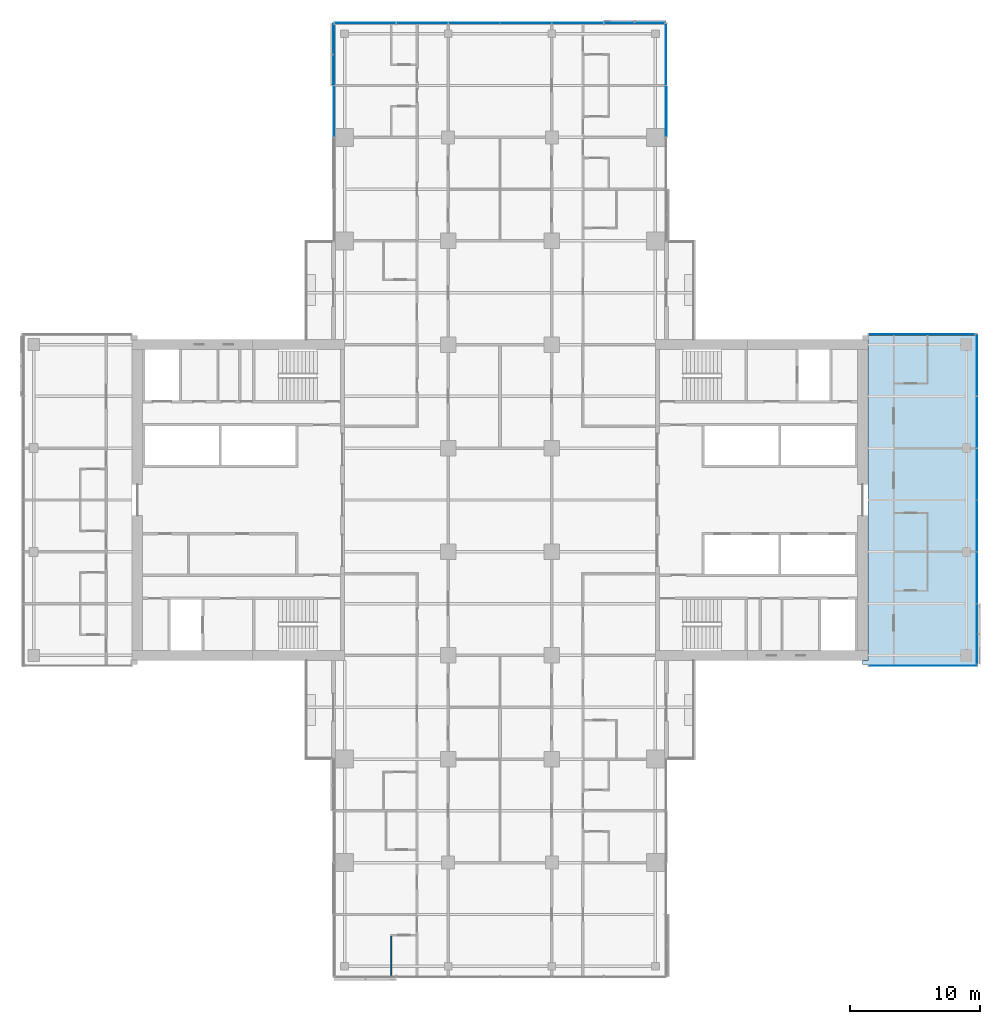
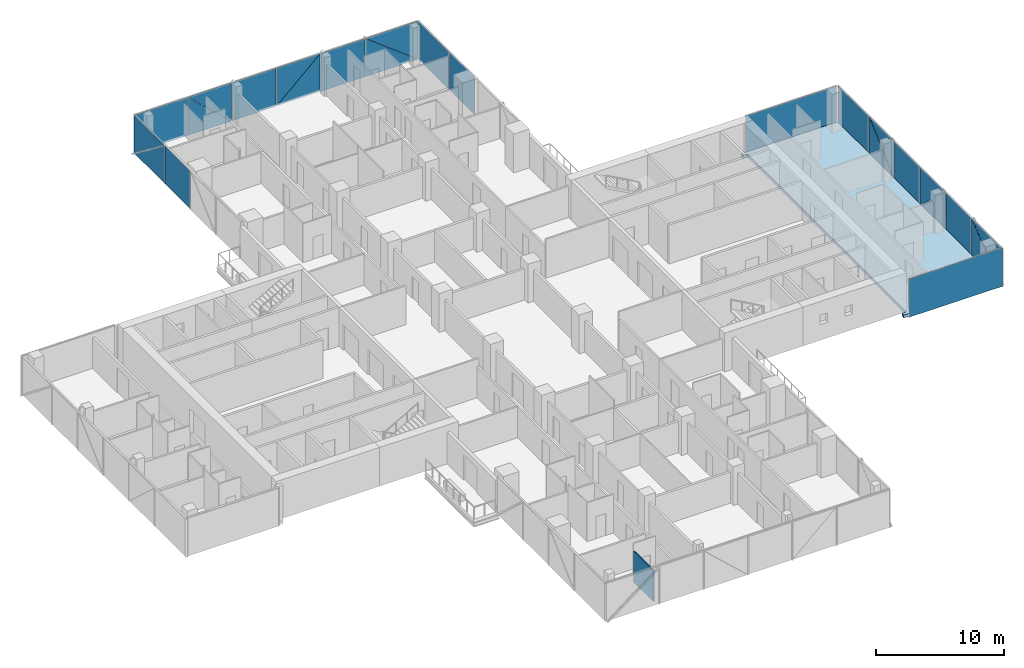
# One storey, part 14 of 27: 26 plates, 1 slab, 1 wall, 6 elements without a shape of their own.
"""IFC4 building model written with IfcOpenShell, lengths in metres."""

from ifc_helpers import new_model, si_unit, direction, frame, frame_2d, origin, place, context, subcontext, project, spatial, polyline, rectangle, outline, extrude, material, layer, layer_set, type_object, element, aggregate, save


model = new_model("IFC4")

# Units and contexts
model_context = context("Model", 3, precision=1e-05, world=origin(), true_north=direction((0.0, 1.0)))
body_context = subcontext(model_context, "Body", "Model", "MODEL_VIEW")
ifc_project = project(units=[si_unit("LENGTHUNIT", "METRE"), si_unit("AREAUNIT", "SQUARE_METRE"), si_unit("VOLUMEUNIT", "CUBIC_METRE"), si_unit("PLANEANGLEUNIT", "RADIAN"), si_unit("MASSUNIT", "GRAM", prefix="KILO")], contexts=[model_context])

# Site, building, storey
site_placement = place(None, origin())
site = spatial("IfcSite", under=ifc_project, at=site_placement, CompositionType="ELEMENT")
building_placement = place(site_placement, origin())
building = spatial("IfcBuilding", under=site, at=building_placement, Name="Crosswind Convention Tower", CompositionType="ELEMENT")
storey_placement = place(building_placement, frame((0.0, 0.0, 75.699951171875)))
storey = spatial("IfcBuildingStorey", under=building, at=storey_placement, Name="L13", CompositionType="ELEMENT", Elevation=75.699951171875)

# Slab
ifc_material_1 = material(Name="Concrete C40/50", Category="concrete")
ifc_layer_1 = layer(ifc_material_1, 0.280029296875)
ifc_layer_set_1 = layer_set([ifc_layer_1], Name="Concrete C40/50")
slab_type = type_object("IfcSlabType", Name="Composite floor slab 280", PredefinedType="FLOOR", material=ifc_layer_set_1)
slab_placement = place(storey_placement, frame((0.0, 0.0, -0.280029296875)))
element("IfcSlab", 1, at=slab_placement, inside=storey, type_object=slab_type, Name="Floor slab L13 part 3", PredefinedType="FLOOR", context=body_context, shape_type="SweptSolid", body=[
    extrude(outline(polyline([(153.0, 112.699951171875), (161.0, 112.699951171875), (161.699951171875, 112.699951171875), (161.699951171875, 112.0), (161.699951171875, 88.0), (161.699951171875, 87.300048828125), (161.0, 87.300048828125), (153.0, 87.300048828125), (153.0, 87.60009765625), (153.39990234375, 87.60009765625), (153.39990234375, 112.39990234375), (153.0, 112.39990234375), (153.0, 112.699951171875)])), origin(), (0.0, 0.0, 1.0), 0.280029296875),
])

# Curtain wall, plate
ifc_material_2 = material(Name="Aluminium unitised curtain wall", Category="aluminium")
curtain_wall_type_1 = type_object("IfcCurtainWallType", Name="CORE END SLOT WALL 160", PredefinedType="USERDEFINED", material=ifc_material_2)
curtain_wall_1_placement = place(storey_placement, origin())
curtain_wall_1 = element("IfcCurtainWall", 2, at=curtain_wall_1_placement, inside=storey, type_object=curtain_wall_type_1, Name="CW6 L13 E-N.1-1 slot", ObjectType="UNITISED", PredefinedType="USERDEFINED")
ifc_material_3 = material(Name="Laminated insulating glass unit", Category="glass")
ifc_layer_2 = layer(ifc_material_3, 0.02587890625)
ifc_layer_set_2 = layer_set([ifc_layer_2], Name="TRIANGULAR GLASS PANEL 26")
plate_type_1 = type_object("IfcPlateType", Name="TRIANGULAR GLASS PANEL 26", PredefinedType="CURTAIN_PANEL", material=ifc_layer_set_2)
plate_1_placement = place(storey_placement, frame((161.64990234375, 112.806640625, -0.280029296875), z_axis=(0.0, 0.999999919475, 0.000401310917), x_axis=(-1.0, 0.0, 0.0)))
plate_1 = element("IfcPlate", 3, at=plate_1_placement, type_object=plate_type_1, Name="CW6 panel 1.1", PredefinedType="CURTAIN_PANEL", context=body_context, shape_type="SweptSolid", body=[
    extrude(outline(polyline([(0.0, 0.0), (8.199951171875, 0.0), (8.199951171875, 3.650146778303906), (0.0, 3.650146778303906), (0.0, 0.0)])), origin(), (0.0, 0.0, -1.0), 0.02587890625),
])
aggregate(curtain_wall_1, [plate_1])

curtain_wall_2_placement = place(storey_placement, origin())
curtain_wall_2 = element("IfcCurtainWall", 4, at=curtain_wall_2_placement, inside=storey, type_object=curtain_wall_type_1, Name="CW6 L13 E-S.2-1 slot", ObjectType="UNITISED", PredefinedType="USERDEFINED")
plate_2_placement = place(storey_placement, frame((153.449951171875, 87.193359375, -0.280029296875), z_axis=(0.0, -0.999999919475, 0.000401310917), x_axis=(1.0, 0.0, 0.0)))
plate_2 = element("IfcPlate", 5, at=plate_2_placement, type_object=plate_type_1, Name="CW6 panel 1.1", PredefinedType="CURTAIN_PANEL", context=body_context, shape_type="SweptSolid", body=[
    extrude(outline(polyline([(0.0, 0.0), (8.400146484375, 0.0), (8.400146484375, 3.6501467783039057), (0.0, 3.6501467783039057), (0.0, 0.0)])), origin(), (0.0, 0.0, -1.0), 0.02587890625),
])
aggregate(curtain_wall_2, [plate_2])

# Curtain wall, plates
curtain_wall_type_2 = type_object("IfcCurtainWallType", Name="HOTEL UNITISED WALL 200", PredefinedType="USERDEFINED", material=ifc_material_2)
curtain_wall_3_placement = place(storey_placement, origin())
curtain_wall_3 = element("IfcCurtainWall", 6, at=curtain_wall_3_placement, inside=storey, type_object=curtain_wall_type_2, Name="CW2 L13 E-TIP 1", ObjectType="UNITISED", PredefinedType="USERDEFINED")
ifc_layer_3 = layer(ifc_material_3, 0.028076171875)
ifc_layer_set_3 = layer_set([ifc_layer_3], Name="TRIANGULAR GLASS PANEL 28")
plate_type_2 = type_object("IfcPlateType", Name="TRIANGULAR GLASS PANEL 28", PredefinedType="CURTAIN_PANEL", material=ifc_layer_set_3)
plate_3_placement = place(storey_placement, frame((161.82861328125, 91.967529296875, -0.280029296875), z_axis=(0.999999943217, 0.0, 0.00033699533), x_axis=(-0.00033699533, 0.0, 0.999999943217)))
plate_3 = element("IfcPlate", 7, at=plate_3_placement, type_object=plate_type_2, Name="CW2 panel 1.1", PredefinedType="CURTAIN_PANEL", context=body_context, shape_type="SweptSolid", body=[
    extrude(outline(polyline([(0.0, 0.0), (3.6223146588106325, 0.0), (0.0, 4.58642578125), (0.0, 0.0)])), origin(), (0.0, 0.0, -1.0), 0.028076171875),
])
plate_4_placement = place(storey_placement, frame((161.857177734375, 87.364990234375, 3.35498046875), z_axis=(0.999999918222, 0.0, 0.000404421644), x_axis=(0.000404421644, 0.0, -0.999999918222)))
plate_4 = element("IfcPlate", 8, at=plate_4_placement, type_object=plate_type_2, Name="CW2 panel 1.2", PredefinedType="CURTAIN_PANEL", context=body_context, shape_type="SweptSolid", body=[
    extrude(outline(polyline([(0.0, 0.0), (3.6220706087072707, 0.0), (0.0, 4.586425781249999), (0.0, 0.0)])), origin(), (0.0, 0.0, -1.0), 0.028076171875),
])
plate_5_placement = place(storey_placement, frame((161.82861328125, 92.032470703125, -0.280029296875), z_axis=(0.999999943613, 0.0, 0.00033581837), x_axis=(0.0, 1.0, 0.0)))
plate_5 = element("IfcPlate", 9, at=plate_5_placement, type_object=plate_type_2, Name="CW2 panel 2.1", PredefinedType="CURTAIN_PANEL", context=body_context, shape_type="SweptSolid", body=[
    extrude(outline(polyline([(0.0, 0.0), (3.93505859375, 0.0), (3.93505859375, 3.635009970592273), (0.0, 3.635009970592273), (0.0, 0.0)])), origin(), (0.0, 0.0, -1.0), 0.028076171875),
])
plate_6_placement = place(storey_placement, frame((161.827392578125, 99.967529296875, 3.35498046875), z_axis=(0.999999943186, 0.0, 0.000337086208), x_axis=(0.0, -1.0, 0.0)))
plate_6 = element("IfcPlate", 10, at=plate_6_placement, type_object=plate_type_2, Name="CW2 panel 3.1", PredefinedType="CURTAIN_PANEL", context=body_context, shape_type="SweptSolid", body=[
    extrude(outline(polyline([(0.0, 0.0), (3.92041015625, 0.0), (0.0, 3.6213380963660997), (0.0, 0.0)])), origin(), (0.0, 0.0, -1.0), 0.028076171875),
])
plate_7_placement = place(storey_placement, frame((161.858642578125, 96.032470703125, -0.280029296875), z_axis=(0.9999999182, 0.0, 0.00040447617), x_axis=(0.0, 1.0, 0.0)))
plate_7 = element("IfcPlate", 11, at=plate_7_placement, type_object=plate_type_2, Name="CW2 panel 3.2", PredefinedType="CURTAIN_PANEL", context=body_context, shape_type="SweptSolid", body=[
    extrude(outline(polyline([(0.0, 0.0), (3.92041015625, 0.0), (0.0, 3.621582327497207), (0.0, 0.0)])), origin(), (0.0, 0.0, -1.0), 0.028076171875),
])
plate_8_placement = place(storey_placement, frame((161.82861328125, 100.032470703125, -0.280029296875), z_axis=(0.999999943613, 0.0, 0.00033581837), x_axis=(0.0, 1.0, 0.0)))
plate_8 = element("IfcPlate", 12, at=plate_8_placement, type_object=plate_type_2, Name="CW2 panel 4.1", PredefinedType="CURTAIN_PANEL", context=body_context, shape_type="SweptSolid", body=[
    extrude(outline(polyline([(0.0, 0.0), (3.93505859375, 0.0), (3.93505859375, 3.635009970592273), (0.0, 3.635009970592273), (0.0, 0.0)])), origin(), (0.0, 0.0, -1.0), 0.028076171875),
])
plate_9_placement = place(storey_placement, frame((161.82861328125, 107.967529296875, -0.280029296875), z_axis=(0.999999943194, 0.0, 0.000337063484), x_axis=(-0.000337063484, 0.0, 0.999999943194)))
plate_9 = element("IfcPlate", 13, at=plate_9_placement, type_object=plate_type_2, Name="CW2 panel 5.1", PredefinedType="CURTAIN_PANEL", context=body_context, shape_type="SweptSolid", body=[
    extrude(outline(polyline([(0.0, 0.0), (3.62158223697723, 0.0), (0.0, 3.920410156250001), (0.0, 0.0)])), origin(), (0.0, 0.0, -1.0), 0.028076171875),
])
plate_10_placement = place(storey_placement, frame((161.857177734375, 104.032470703125, 3.35498046875), z_axis=(0.999999918188, 0.0, 0.000404503439), x_axis=(0.000404503439, 0.0, -0.999999918188)))
plate_10 = element("IfcPlate", 14, at=plate_10_placement, type_object=plate_type_2, Name="CW2 panel 5.2", PredefinedType="CURTAIN_PANEL", context=body_context, shape_type="SweptSolid", body=[
    extrude(outline(polyline([(0.0, 0.0), (3.6213381868921797, 0.0), (0.0, 3.92041015625), (0.0, 0.0)])), origin(), (0.0, 0.0, -1.0), 0.028076171875),
])
plate_11_placement = place(storey_placement, frame((161.82861328125, 108.032470703125, -0.280029296875), z_axis=(0.999999943613, 0.0, 0.00033581837), x_axis=(0.0, 1.0, 0.0)))
plate_11 = element("IfcPlate", 15, at=plate_11_placement, type_object=plate_type_2, Name="CW2 panel 6.1", PredefinedType="CURTAIN_PANEL", context=body_context, shape_type="SweptSolid", body=[
    extrude(outline(polyline([(0.0, 0.0), (4.762451171875, 0.0), (4.762451171875, 3.635009970592273), (0.0, 3.635009970592273), (0.0, 0.0)])), origin(), (0.0, 0.0, -1.0), 0.028076171875),
])
aggregate(curtain_wall_3, [plate_3, plate_4, plate_5, plate_6, plate_7, plate_8, plate_9, plate_10, plate_11])

curtain_wall_4_placement = place(storey_placement, origin())
curtain_wall_4 = element("IfcCurtainWall", 16, at=curtain_wall_4_placement, inside=storey, type_object=curtain_wall_type_2, Name="CW2 L13 N-E 1", ObjectType="UNITISED", PredefinedType="USERDEFINED")
plate_12_placement = place(storey_placement, frame((137.827392578125, 131.967529296875, 3.35498046875), z_axis=(0.999999943186, 0.0, 0.000337086208), x_axis=(0.0, -1.0, 0.0)))
plate_12 = element("IfcPlate", 17, at=plate_12_placement, type_object=plate_type_2, Name="CW2 panel 3.1", PredefinedType="CURTAIN_PANEL", context=body_context, shape_type="SweptSolid", body=[
    extrude(outline(polyline([(0.0, 0.0), (3.92041015625, 0.0), (0.0, 3.6213380963660997), (0.0, 0.0)])), origin(), (0.0, 0.0, -1.0), 0.028076171875),
])
plate_13_placement = place(storey_placement, frame((137.858642578125, 128.032470703125, -0.280029296875), z_axis=(0.9999999182, 0.0, 0.00040447617), x_axis=(0.0, 1.0, 0.0)))
plate_13 = element("IfcPlate", 18, at=plate_13_placement, type_object=plate_type_2, Name="CW2 panel 3.2", PredefinedType="CURTAIN_PANEL", context=body_context, shape_type="SweptSolid", body=[
    extrude(outline(polyline([(0.0, 0.0), (3.92041015625, 0.0), (0.0, 3.621582327497207), (0.0, 0.0)])), origin(), (0.0, 0.0, -1.0), 0.028076171875),
])
plate_14_placement = place(storey_placement, frame((137.82861328125, 132.032470703125, -0.280029296875), z_axis=(0.999999943613, 0.0, 0.00033581837), x_axis=(0.0, 1.0, 0.0)))
plate_14 = element("IfcPlate", 19, at=plate_14_placement, type_object=plate_type_2, Name="CW2 panel 4.1", PredefinedType="CURTAIN_PANEL", context=body_context, shape_type="SweptSolid", body=[
    extrude(outline(polyline([(0.0, 0.0), (4.735107421875, 0.0), (4.735107421875, 3.6350099705922725), (0.0, 3.6350099705922725), (0.0, 0.0)])), origin(), (0.0, 0.0, -1.0), 0.028076171875),
])
aggregate(curtain_wall_4, [plate_12, plate_13, plate_14])

curtain_wall_5_placement = place(storey_placement, origin())
curtain_wall_5 = element("IfcCurtainWall", 20, at=curtain_wall_5_placement, inside=storey, type_object=curtain_wall_type_2, Name="CW2 L13 N-TIP 1", ObjectType="UNITISED", PredefinedType="USERDEFINED")
plate_15_placement = place(storey_placement, frame((133.032470703125, 136.82861328125, -0.280029296875), z_axis=(0.0, 0.999999943225, 0.000336972619), x_axis=(0.0, -0.000336972619, 0.999999943225)))
plate_15 = element("IfcPlate", 21, at=plate_15_placement, type_object=plate_type_2, Name="CW2 panel 1.1", PredefinedType="CURTAIN_PANEL", context=body_context, shape_type="SweptSolid", body=[
    extrude(outline(polyline([(0.0, 0.0), (3.6225587994217703, 0.0), (0.0, 4.718505859374999), (0.0, 0.0)])), origin(), (0.0, 0.0, -1.0), 0.028076171875),
])
plate_16_placement = place(storey_placement, frame((137.767578125, 136.857177734375, 3.35498046875), z_axis=(0.0, 0.999999918233, 0.000404394386), x_axis=(0.0, 0.000404394386, -0.999999918233)))
plate_16 = element("IfcPlate", 22, at=plate_16_placement, type_object=plate_type_2, Name="CW2 panel 1.2", PredefinedType="CURTAIN_PANEL", context=body_context, shape_type="SweptSolid", body=[
    extrude(outline(polyline([(0.0, 0.0), (3.6223147493123067, 0.0), (0.0, 4.71875), (0.0, 0.0)])), origin(), (0.0, 0.0, -1.0), 0.028076171875),
])
plate_17_placement = place(storey_placement, frame((132.967529296875, 136.82861328125, -0.280029296875), z_axis=(0.0, 0.999999943613, 0.00033581837), x_axis=(-1.0, 0.0, 0.0)))
plate_17 = element("IfcPlate", 23, at=plate_17_placement, type_object=plate_type_2, Name="CW2 panel 2.1", PredefinedType="CURTAIN_PANEL", context=body_context, shape_type="SweptSolid", body=[
    extrude(outline(polyline([(0.0, 0.0), (3.93505859375, 0.0), (3.93505859375, 3.635009970592273), (0.0, 3.635009970592273), (0.0, 0.0)])), origin(), (0.0, 0.0, -1.0), 0.028076171875),
])
plate_18_placement = place(storey_placement, frame((125.032470703125, 136.827392578125, 3.35498046875), z_axis=(0.0, 0.999999943186, 0.000337086208), x_axis=(1.0, 0.0, 0.0)))
plate_18 = element("IfcPlate", 24, at=plate_18_placement, type_object=plate_type_2, Name="CW2 panel 3.1", PredefinedType="CURTAIN_PANEL", context=body_context, shape_type="SweptSolid", body=[
    extrude(outline(polyline([(0.0, 0.0), (3.92041015625, 0.0), (0.0, 3.6213380963660997), (0.0, 0.0)])), origin(), (0.0, 0.0, -1.0), 0.028076171875),
])
plate_19_placement = place(storey_placement, frame((128.967529296875, 136.858642578125, -0.280029296875), z_axis=(0.0, 0.9999999182, 0.00040447617), x_axis=(-1.0, 0.0, 0.0)))
plate_19 = element("IfcPlate", 25, at=plate_19_placement, type_object=plate_type_2, Name="CW2 panel 3.2", PredefinedType="CURTAIN_PANEL", context=body_context, shape_type="SweptSolid", body=[
    extrude(outline(polyline([(0.0, 0.0), (3.92041015625, 0.0), (0.0, 3.621582327497207), (0.0, 0.0)])), origin(), (0.0, 0.0, -1.0), 0.028076171875),
])
plate_20_placement = place(storey_placement, frame((124.967529296875, 136.82861328125, -0.280029296875), z_axis=(0.0, 0.999999943613, 0.00033581837), x_axis=(-1.0, 0.0, 0.0)))
plate_20 = element("IfcPlate", 26, at=plate_20_placement, type_object=plate_type_2, Name="CW2 panel 4.1", PredefinedType="CURTAIN_PANEL", context=body_context, shape_type="SweptSolid", body=[
    extrude(outline(polyline([(0.0, 0.0), (3.93505859375, 0.0), (3.93505859375, 3.635009970592273), (0.0, 3.635009970592273), (0.0, 0.0)])), origin(), (0.0, 0.0, -1.0), 0.028076171875),
])
plate_21_placement = place(storey_placement, frame((117.032470703125, 136.82861328125, -0.280029296875), z_axis=(0.0, 0.999999943194, 0.000337063484), x_axis=(0.0, -0.000337063484, 0.999999943194)))
plate_21 = element("IfcPlate", 27, at=plate_21_placement, type_object=plate_type_2, Name="CW2 panel 5.1", PredefinedType="CURTAIN_PANEL", context=body_context, shape_type="SweptSolid", body=[
    extrude(outline(polyline([(0.0, 0.0), (3.62158223697723, 0.0), (0.0, 3.920410156250001), (0.0, 0.0)])), origin(), (0.0, 0.0, -1.0), 0.028076171875),
])
plate_22_placement = place(storey_placement, frame((120.967529296875, 136.857177734375, 3.35498046875), z_axis=(0.0, 0.999999918188, 0.000404503439), x_axis=(0.0, 0.000404503439, -0.999999918188)))
plate_22 = element("IfcPlate", 28, at=plate_22_placement, type_object=plate_type_2, Name="CW2 panel 5.2", PredefinedType="CURTAIN_PANEL", context=body_context, shape_type="SweptSolid", body=[
    extrude(outline(polyline([(0.0, 0.0), (3.6213381868921797, 0.0), (0.0, 3.92041015625), (0.0, 0.0)])), origin(), (0.0, 0.0, -1.0), 0.028076171875),
])
plate_23_placement = place(storey_placement, frame((116.967529296875, 136.82861328125, -0.280029296875), z_axis=(0.0, 0.999999943613, 0.00033581837), x_axis=(-1.0, 0.0, 0.0)))
plate_23 = element("IfcPlate", 29, at=plate_23_placement, type_object=plate_type_2, Name="CW2 panel 6.1", PredefinedType="CURTAIN_PANEL", context=body_context, shape_type="SweptSolid", body=[
    extrude(outline(polyline([(0.0, 0.0), (4.735107421875, 0.0), (4.735107421875, 3.6350099705922725), (0.0, 3.6350099705922725), (0.0, 0.0)])), origin(), (0.0, 0.0, -1.0), 0.028076171875),
])
aggregate(curtain_wall_5, [plate_15, plate_16, plate_17, plate_18, plate_19, plate_20, plate_21, plate_22, plate_23])

curtain_wall_6_placement = place(storey_placement, origin())
curtain_wall_6 = element("IfcCurtainWall", 30, at=curtain_wall_6_placement, inside=storey, type_object=curtain_wall_type_2, Name="CW2 L13 N-W 1", ObjectType="UNITISED", PredefinedType="USERDEFINED")
plate_24_placement = place(storey_placement, frame((112.17138671875, 132.032470703125, -0.280029296875), z_axis=(-0.999999943225, 0.0, 0.000336972619), x_axis=(0.000336972619, 0.0, 0.999999943225)))
plate_24 = element("IfcPlate", 31, at=plate_24_placement, type_object=plate_type_2, Name="CW2 panel 1.1", PredefinedType="CURTAIN_PANEL", context=body_context, shape_type="SweptSolid", body=[
    extrude(outline(polyline([(0.0, 0.0), (3.6225587994217703, 0.0), (0.0, 4.718505859374999), (0.0, 0.0)])), origin(), (0.0, 0.0, -1.0), 0.028076171875),
])
plate_25_placement = place(storey_placement, frame((112.142822265625, 136.767578125, 3.35498046875), z_axis=(-0.999999918233, 0.0, 0.000404394386), x_axis=(-0.000404394386, 0.0, -0.999999918233)))
plate_25 = element("IfcPlate", 32, at=plate_25_placement, type_object=plate_type_2, Name="CW2 panel 1.2", PredefinedType="CURTAIN_PANEL", context=body_context, shape_type="SweptSolid", body=[
    extrude(outline(polyline([(0.0, 0.0), (3.6223147493123067, 0.0), (0.0, 4.71875), (0.0, 0.0)])), origin(), (0.0, 0.0, -1.0), 0.028076171875),
])
plate_26_placement = place(storey_placement, frame((112.17138671875, 131.967529296875, -0.280029296875), z_axis=(-0.999999943613, 0.0, 0.00033581837), x_axis=(0.0, -1.0, 0.0)))
plate_26 = element("IfcPlate", 33, at=plate_26_placement, type_object=plate_type_2, Name="CW2 panel 2.1", PredefinedType="CURTAIN_PANEL", context=body_context, shape_type="SweptSolid", body=[
    extrude(outline(polyline([(0.0, 0.0), (3.93505859375, 0.0), (3.93505859375, 3.635009970592273), (0.0, 3.635009970592273), (0.0, 0.0)])), origin(), (0.0, 0.0, -1.0), 0.028076171875),
])
aggregate(curtain_wall_6, [plate_24, plate_25, plate_26])

# Wall
ifc_material_4 = material(Name="Water-resistant plasterboard partition", Category="gypsum")
ifc_layer_4 = layer(ifc_material_4, 0.10009765625)
ifc_layer_set_4 = layer_set([ifc_layer_4], Name="WET ROOM PARTITION 100")
wall_type = type_object("IfcWallType", Name="WET ROOM PARTITION 100", PredefinedType="PLUMBINGWALL", material=ifc_layer_set_4)
wall_placement = place(storey_placement, frame((116.60009765625, 63.300048828125, 0.0), z_axis=(0.0, 0.0, 1.0), x_axis=(0.0, 1.0, 0.0)))
element("IfcWall", 34, at=wall_placement, inside=storey, type_object=wall_type, Name="Wet Room Partition 70", PredefinedType="PLUMBINGWALL", context=body_context, shape_type="SweptSolid", body=[
    extrude(rectangle(XDim=3.050048828125, YDim=0.10009765625, at=frame_2d((1.52490234375, 0.0))), origin(), (0.0, 0.0, 1.0), 2.962890625),
])

save(model, "model.ifc")
